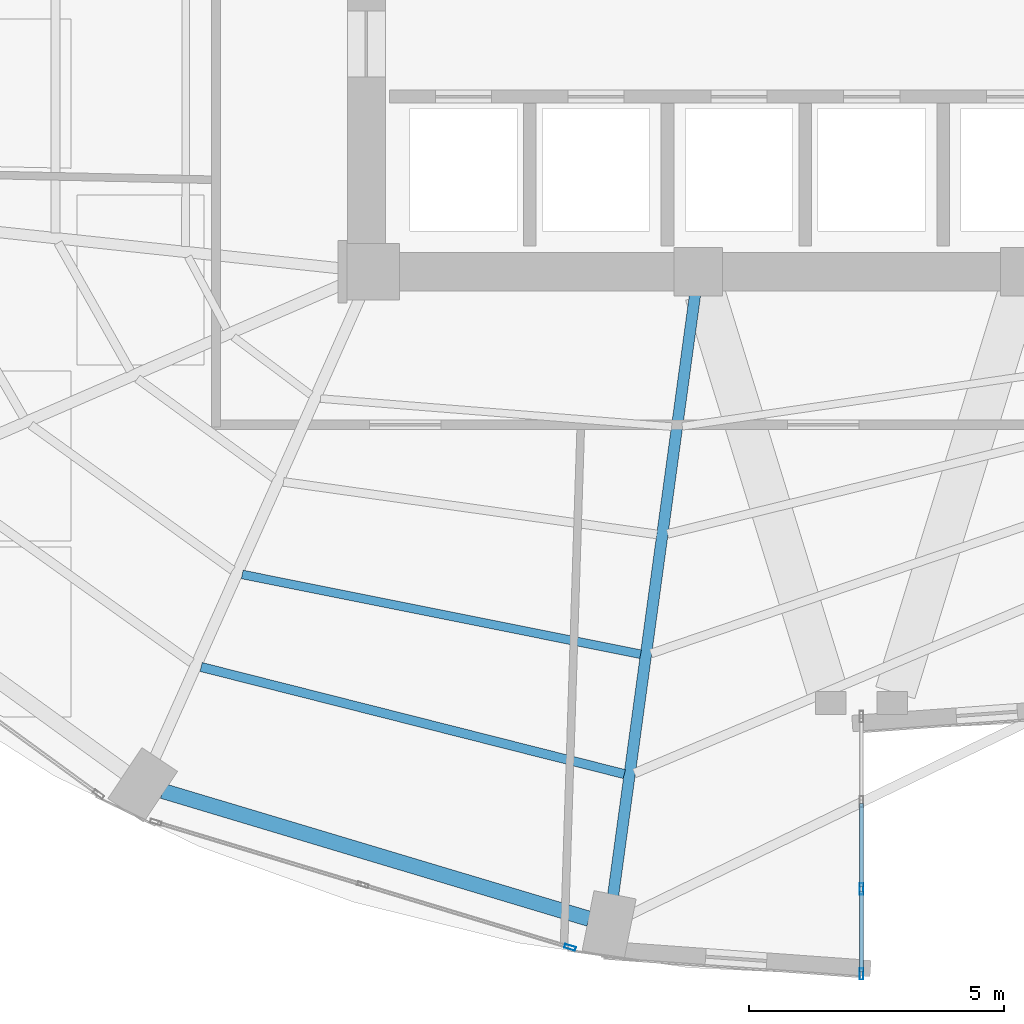
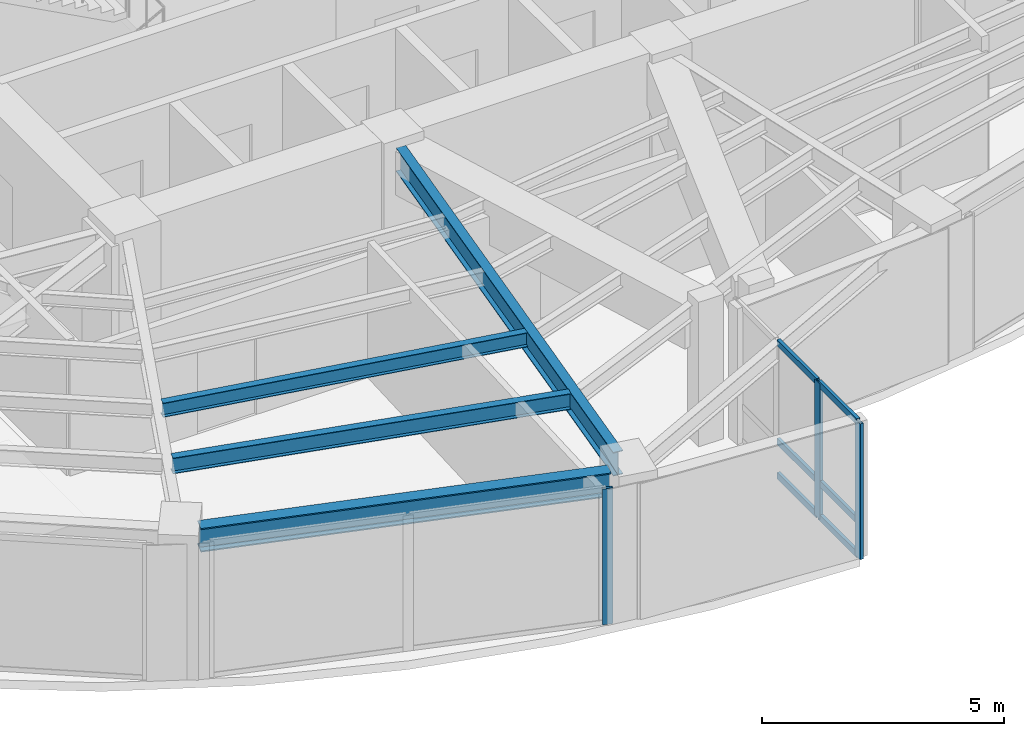
# One storey, part 5 of 24: 9 members, 4 beams, 2 elements without a shape of their own.
"""IFC4 building model written with IfcOpenShell, lengths in metres."""

import ifcopenshell
import ifcopenshell.guid

model = None  # the IFC model being written
_history = None  # IfcOwnerHistory: only IFC2X3 demands one
_inside = {}  # id of a spatial element -> (the spatial element, [elements in it])
_under = {}  # id of a project, library or spatial element -> (it, [spatial elements below it])
_declared = {}  # id of a project -> (the project, [libraries it declares])
_typed = {}  # id of a type object -> (the type object, [elements of that type])
_made_of = {}  # id of a material, layer set ... -> (it, [elements and type objects made of it])


def new_model(schema):
    """Start an empty IFC model of exactly this schema.

    Asked for "IFC4X3", IfcOpenShell would pick the latest addendum, in which some entities
    have other attributes; the version numbers below select the first issue.
    IFC2X3 requires an IfcOwnerHistory on every rooted entity: one is made here for all.
    """
    global model, _history
    if schema == "IFC4X3":
        model = ifcopenshell.file(schema_version=(4, 3, 0, 0))
    else:
        model = ifcopenshell.file(schema=schema)
    _inside.clear()
    _under.clear()
    _declared.clear()
    _typed.clear()
    _made_of.clear()
    _history = None
    if model.schema == "IFC2X3":
        org = make("IfcOrganization", Name="unknown")
        user = make(
            "IfcPersonAndOrganization",
            ThePerson=make("IfcPerson", FamilyName="unknown"),
            TheOrganization=org,
        )
        app = make(
            "IfcApplication",
            ApplicationDeveloper=org,
            Version="unknown",
            ApplicationFullName="unknown",
            ApplicationIdentifier="unknown",
        )
        _history = make(
            "IfcOwnerHistory",
            OwningUser=user,
            OwningApplication=app,
            ChangeAction="ADDED",
            CreationDate=0,
        )
    return model


def make(cls, **values):
    """One entity of the class cls with the attributes given. An attribute that is None is left unset."""
    return model.create_entity(
        cls, **{name: value for name, value in values.items() if value is not None}
    )


def rooted(cls, **values):
    """An entity with a GlobalId (a new one), such as an element, a storey or a relation."""
    return make(cls, GlobalId=ifcopenshell.guid.new(), OwnerHistory=_history, **values)


def si_unit(unit_type, name, prefix=None):
    """IfcSIUnit, for example si_unit("LENGTHUNIT", "METRE", prefix="MILLI")."""
    return make("IfcSIUnit", UnitType=unit_type, Prefix=prefix, Name=name)


def assignment(units):
    """IfcUnitAssignment: the units of a project."""
    return None if units is None else make("IfcUnitAssignment", Units=units)


def point(xyz):
    """IfcCartesianPoint."""
    return None if xyz is None else make("IfcCartesianPoint", Coordinates=xyz)


def direction(xyz):
    """IfcDirection."""
    return None if xyz is None else make("IfcDirection", DirectionRatios=xyz)


def frame(location, z_axis=None, x_axis=None):
    """IfcAxis2Placement3D, a coordinate frame: its origin and axes. An axis left out is left unset."""
    return make(
        "IfcAxis2Placement3D",
        Location=point(location),
        Axis=direction(z_axis),
        RefDirection=direction(x_axis),
    )


def frame_2d(location, x_axis=None):
    """IfcAxis2Placement2D, a coordinate frame in the plane: its origin and x axis."""
    return make(
        "IfcAxis2Placement2D", Location=point(location), RefDirection=direction(x_axis)
    )


def origin():
    """The frame at (0, 0, 0) with its axes left unset."""
    return frame((0.0, 0.0, 0.0))


def origin_2d():
    """The frame at (0, 0) in the plane with its x axis left unset."""
    return frame_2d((0.0, 0.0))


def place(relative_to, where):
    """IfcLocalPlacement: puts the frame where relative to a parent placement (None: the world)."""
    return make(
        "IfcLocalPlacement", PlacementRelTo=relative_to, RelativePlacement=where
    )


def context(
    kind, dimensions, precision=None, world=None, true_north=None, identifier=None
):
    """IfcGeometricRepresentationContext, for example the 3D "Model" context."""
    return make(
        "IfcGeometricRepresentationContext",
        ContextIdentifier=identifier,
        ContextType=kind,
        CoordinateSpaceDimension=dimensions,
        Precision=precision,
        WorldCoordinateSystem=world,
        TrueNorth=true_north,
    )


def subcontext(parent, identifier, kind, view, scale=None):
    """IfcGeometricRepresentationSubContext, for example "Body" below "Model"."""
    return make(
        "IfcGeometricRepresentationSubContext",
        ContextIdentifier=identifier,
        ContextType=kind,
        ParentContext=parent,
        TargetScale=scale,
        TargetView=view,
    )


def project(units=None, contexts=None):
    """IfcProject with its units and contexts."""
    return rooted(
        "IfcProject",
        Name="project",
        RepresentationContexts=contexts,
        UnitsInContext=assignment(units),
    )


def spatial(cls, under=None, at=None, **own):
    """A site, building, storey or space (cls), placed at a placement, below another one or the project."""
    s = rooted(cls, ObjectPlacement=at, **own)
    if under is not None:
        _under.setdefault(under.id(), (under, []))[1].append(s)
    return s


def profile(cls, at=None, kind="AREA", **sizes):
    """A parametric profile (cls). Its sizes go by their IFC names, for example OverallWidth=200.0."""
    return make(cls, ProfileType=kind, Position=at, **sizes)


def hollow_rectangle(**sizes):
    """IfcRectangleHollowProfileDef."""
    return profile("IfcRectangleHollowProfileDef", **sizes)


def i_section(**sizes):
    """IfcIShapeProfileDef."""
    return profile("IfcIShapeProfileDef", **sizes)


def extrude(swept, where, along, depth):
    """IfcExtrudedAreaSolid: the profile swept, set in the frame where, extruded along a direction by depth."""
    return make(
        "IfcExtrudedAreaSolid",
        SweptArea=swept,
        Position=where,
        ExtrudedDirection=direction(along),
        Depth=depth,
    )


def shape(context_of_items, identifier, shape_type, items):
    """IfcShapeRepresentation: the items that make up one representation, for example the "Body"."""
    return make(
        "IfcShapeRepresentation",
        ContextOfItems=context_of_items,
        RepresentationIdentifier=identifier,
        RepresentationType=shape_type,
        Items=items,
    )


def material(Name=None, Category=None):
    """IfcMaterial."""
    return make("IfcMaterial", Name=Name, Category=Category)


def layer(
    of_material, thickness, ventilated=None, Name=None, Category=None, Priority=None
):
    """IfcMaterialLayer: one layer of a wall or slab, of a material (None: an air gap)."""
    return make(
        "IfcMaterialLayer",
        Material=of_material,
        LayerThickness=thickness,
        IsVentilated=ventilated,
        Name=Name,
        Category=Category,
        Priority=Priority,
    )


def layer_set(layers, Name=None):
    """IfcMaterialLayerSet."""
    return make("IfcMaterialLayerSet", MaterialLayers=layers, LayerSetName=Name)


def material_profile(
    of_material, cross_section, Name=None, Category=None, Priority=None
):
    """IfcMaterialProfile: a cross section and its material."""
    return make(
        "IfcMaterialProfile",
        Name=Name,
        Material=of_material,
        Profile=cross_section,
        Priority=Priority,
        Category=Category,
    )


def profile_set(profiles, Name=None, composite=None):
    """IfcMaterialProfileSet."""
    return make(
        "IfcMaterialProfileSet",
        Name=Name,
        MaterialProfiles=profiles,
        CompositeProfile=composite,
    )


def made_of(thing, what):
    """Note that an element or type object is made of a material, layer set ...; save() writes the relation."""
    if what is not None:
        _made_of.setdefault(what.id(), (what, []))[1].append(thing)
    return thing


def type_object(cls, material=None, **own):
    """A type object (cls), such as IfcWallType, which elements share."""
    return made_of(rooted(cls, **own), material)


def element(
    cls,
    number,
    at=None,
    inside=None,
    cuts=None,
    type_object=None,
    material=None,
    context=None,
    identifier="Body",
    shape_type=None,
    held_by="IfcProductDefinitionShape",
    body=None,
    shapes=None,
    **own,
):
    """One element of the class cls, such as IfcWall. Its Tag is "e" and its number.

    at: its placement. inside: the storey or other place that contains it. cuts: it is an
    opening in that element (IfcRelVoidsElement). A single representation is given by context,
    identifier, shape_type and body (its items); several are given by shapes. held_by: the class
    of the entity that holds the representations. save() writes the other relations.
    """
    e = rooted(cls, Tag="e%d" % number, ObjectPlacement=at, **own)
    if body is not None:
        shapes = [shape(context, identifier, shape_type, body)]
    if shapes is not None:
        e.Representation = make(held_by, Representations=shapes)
    if inside is not None:
        _inside.setdefault(inside.id(), (inside, []))[1].append(e)
    if cuts is not None:
        rooted(
            "IfcRelVoidsElement", RelatingBuildingElement=cuts, RelatedOpeningElement=e
        )
    if type_object is not None:
        _typed.setdefault(type_object.id(), (type_object, []))[1].append(e)
    return made_of(e, material)


def aggregate(whole, parts):
    """IfcRelAggregates: a whole, such as a stair, and the parts it consists of."""
    return rooted("IfcRelAggregates", RelatingObject=whole, RelatedObjects=parts)


def save(model, path):
    """Write the relations noted so far, then the file.

    IfcRelAggregates (storeys below a building ...), IfcRelContainedInSpatialStructure (elements
    in a storey), IfcRelDefinesByType, IfcRelAssociatesMaterial and IfcRelDeclares: one each for
    every whole, place, type object, material and project.
    """
    for whole, parts in _under.values():
        aggregate(whole, parts)
    for where, things in _inside.values():
        rooted(
            "IfcRelContainedInSpatialStructure",
            RelatedElements=things,
            RelatingStructure=where,
        )
    for kind, things in _typed.values():
        rooted("IfcRelDefinesByType", RelatedObjects=things, RelatingType=kind)
    for what, things in _made_of.values():
        rooted("IfcRelAssociatesMaterial", RelatedObjects=things, RelatingMaterial=what)
    for by, libraries in _declared.values():
        rooted("IfcRelDeclares", RelatingContext=by, RelatedDefinitions=libraries)
    model.write(path)


model = new_model("IFC4")

# Units and contexts
model_context = context("Model", 3, precision=1e-05, world=origin(), true_north=direction((0.0, 1.0)))
body_context = subcontext(model_context, "Body", "Model", "MODEL_VIEW")
ifc_project = project(units=[si_unit("LENGTHUNIT", "METRE"), si_unit("AREAUNIT", "SQUARE_METRE"), si_unit("VOLUMEUNIT", "CUBIC_METRE"), si_unit("PLANEANGLEUNIT", "RADIAN"), si_unit("MASSUNIT", "GRAM", prefix="KILO")], contexts=[model_context])

# Site, building, storey
site_placement = place(None, origin())
site = spatial("IfcSite", under=ifc_project, at=site_placement, CompositionType="ELEMENT")
building_placement = place(site_placement, origin())
building = spatial("IfcBuilding", under=site, at=building_placement, Name="Lazwardi Medical Tower", CompositionType="ELEMENT")
storey_placement = place(building_placement, frame((0.0, 0.0, 103.632080078125)))
storey = spatial("IfcBuildingStorey", under=building, at=storey_placement, Name="L26", CompositionType="ELEMENT", Elevation=103.632080078125)

# Beams
ifc_material_1 = material(Name="Steel S355", Category="steel")
ifc_material_profile_1 = material_profile(ifc_material_1, i_section(OverallWidth=0.300048828125, OverallDepth=0.60009765625, WebThickness=0.015380859375, FlangeThickness=0.030029296875, at=origin_2d()), Name="HEB 600")
ifc_profile_set_1 = profile_set([ifc_material_profile_1], Name="Steel S355")
beam_type_1 = type_object("IfcBeamType", Name="BM-RB-Z2", PredefinedType="BEAM", material=ifc_profile_set_1)
beam_1_placement = place(storey_placement, frame((22.30908203125, 10.224609375, 3.1279296875), z_axis=(0.957879438442, -0.287170648587, 0.0), x_axis=(0.287170648587, 0.957879438442, 0.0)))
element("IfcBeam", 1, at=beam_1_placement, inside=storey, type_object=beam_type_1, Name="Ring beam RB-03 B15 L26", PredefinedType="BEAM", context=body_context, shape_type="SweptSolid", body=[
    extrude(i_section(OverallWidth=0.300048828125, OverallDepth=0.60009765625, WebThickness=0.015380859375, FlangeThickness=0.030029296875, at=origin_2d()), origin(), (0.0, 0.0, 1.0), 8.719970703125),
])
ifc_material_profile_2 = material_profile(ifc_material_1, i_section(OverallWidth=0.219970703125, OverallDepth=0.60009765625, WebThickness=0.011962890625, FlangeThickness=0.01904296875, at=origin_2d()), Name="IPE 600")
ifc_profile_set_2 = profile_set([ifc_material_profile_2], Name="Steel S355")
beam_type_2 = type_object("IfcBeamType", Name="BM-RG-W1", PredefinedType="BEAM", material=ifc_profile_set_2)
beam_2_placement = place(storey_placement, frame((31.1328125, 8.17724609375, 3.1279296875), z_axis=(0.135147148002, 0.990825538825, 0.0), x_axis=(-0.990825538825, 0.135147148002, 0.0)))
element("IfcBeam", 2, at=beam_2_placement, inside=storey, type_object=beam_type_2, Name="Radial girder RG-02 R16 L26", PredefinedType="BEAM", context=body_context, shape_type="SweptSolid", body=[
    extrude(i_section(OverallWidth=0.219970703125, OverallDepth=0.60009765625, WebThickness=0.011962890625, FlangeThickness=0.01904296875, at=origin_2d()), origin(), (0.0, 0.0, 1.0), 11.875732421875),
])
ifc_material_profile_3 = material_profile(ifc_material_1, i_section(OverallWidth=0.179931640625, OverallDepth=0.39990234375, WebThickness=0.008544921875, FlangeThickness=0.013427734375, at=origin_2d()), Name="IPE 400")
ifc_profile_set_3 = profile_set([ifc_material_profile_3], Name="Steel S355")
beam_type_3 = type_object("IfcBeamType", Name="BM-SJ-01", PredefinedType="JOIST", material=ifc_profile_set_3)
beam_3_placement = place(storey_placement, frame((23.060302734375, 12.654296875, 3.22802734375), z_axis=(0.96945186753, -0.245281626997, 0.0), x_axis=(0.245281626997, 0.96945186753, 0.0)))
element("IfcBeam", 3, at=beam_3_placement, inside=storey, type_object=beam_type_3, Name="Secondary joist SJ-01 R1 B15 L26", PredefinedType="JOIST", context=body_context, shape_type="SweptSolid", body=[
    extrude(i_section(OverallWidth=0.179931640625, OverallDepth=0.39990234375, WebThickness=0.008544921875, FlangeThickness=0.013427734375, at=origin_2d()), origin(), (0.0, 0.0, 1.0), 8.552978515625),
])
ifc_material_profile_4 = material_profile(ifc_material_1, i_section(OverallWidth=0.169921875, OverallDepth=0.360107421875, WebThickness=0.008056640625, FlangeThickness=0.0126953125, at=origin_2d()), Name="IPE 360")
ifc_profile_set_4 = profile_set([ifc_material_profile_4], Name="Steel S355")
beam_type_4 = type_object("IfcBeamType", Name="BM-SJ-02", PredefinedType="JOIST", material=ifc_profile_set_4)
beam_4_placement = place(storey_placement, frame((23.8671875, 14.46728515625, 3.247802734375), z_axis=(0.980542906584, -0.196304886203, 0.0), x_axis=(0.196304886203, 0.980542906584, 0.0)))
element("IfcBeam", 4, at=beam_4_placement, inside=storey, type_object=beam_type_4, Name="Secondary joist SJ-02 R2 B15 L26", PredefinedType="JOIST", context=body_context, shape_type="SweptSolid", body=[
    extrude(i_section(OverallWidth=0.169921875, OverallDepth=0.360107421875, WebThickness=0.008056640625, FlangeThickness=0.0126953125, at=origin_2d()), origin(), (0.0, 0.0, 1.0), 7.95947265625),
])

# Curtain wall, member
ifc_material_2 = material(Name="Anodised bronze aluminium and solar control glazing", Category="aluminium")
ifc_layer_1 = layer(ifc_material_2, 0.195068359375)
ifc_layer_set_1 = layer_set([ifc_layer_1], Name="Anodised bronze aluminium and solar control glazing")
curtain_wall_type_1 = type_object("IfcCurtainWallType", Name="CW-SYS-03", PredefinedType="NOTDEFINED", material=ifc_layer_set_1)
curtain_wall_1_placement = place(storey_placement, origin())
curtain_wall_1 = element("IfcCurtainWall", 5, at=curtain_wall_1_placement, inside=storey, type_object=curtain_wall_type_1, Name="L26 Unitised bronze curtain wall CW-03", PredefinedType="NOTDEFINED")
ifc_material_3 = material(Name="Anodised bronze aluminium", Category="aluminium")
ifc_material_profile_5 = material_profile(ifc_material_3, hollow_rectangle(XDim=0.074951171875, YDim=0.219970703125, WallThickness=0.00390625, at=origin_2d()), Name="ALU-MULLION 220x75x4")
ifc_profile_set_5 = profile_set([ifc_material_profile_5], Name="Anodised bronze aluminium")
member_type_1 = type_object("IfcMemberType", Name="CW-MUL-01", PredefinedType="MULLION", material=ifc_profile_set_5)
member_1_placement = place(storey_placement, frame((30.289794921875, 7.159912109375, 0.0), z_axis=(0.0, 0.0, 1.0), x_axis=(0.28937381157, 0.957216170558, 0.0)))
member_1 = element("IfcMember", 6, at=member_1_placement, type_object=member_type_1, Name="CW-03 mullion 3", PredefinedType="MULLION", context=body_context, shape_type="SweptSolid", body=[
    extrude(hollow_rectangle(XDim=0.074951171875, YDim=0.219970703125, WallThickness=0.00390625, at=origin_2d()), origin(), (0.0, 0.0, 1.0), 3.427978515625),
])
aggregate(curtain_wall_1, [member_1])

# Curtain wall, members
ifc_layer_2 = layer(ifc_material_2, 0.2099609375)
ifc_layer_set_2 = layer_set([ifc_layer_2], Name="Anodised bronze aluminium and solar control glazing")
curtain_wall_type_2 = type_object("IfcCurtainWallType", Name="CW-SYS-06", PredefinedType="NOTDEFINED", material=ifc_layer_set_2)
curtain_wall_2_placement = place(storey_placement, origin())
curtain_wall_2 = element("IfcCurtainWall", 7, at=curtain_wall_2_placement, inside=storey, type_object=curtain_wall_type_2, Name="L26 Unitised bronze curtain wall CW-06", PredefinedType="NOTDEFINED")
member_2_placement = place(storey_placement, frame((36.0, 6.637451171875, 0.0), z_axis=(0.0, 0.0, 1.0), x_axis=(-1.0, 0.0, 0.0)))
member_2 = element("IfcMember", 8, at=member_2_placement, type_object=member_type_1, Name="CW-06 mullion 1", PredefinedType="MULLION", context=body_context, shape_type="SweptSolid", body=[
    extrude(hollow_rectangle(XDim=0.074951171875, YDim=0.219970703125, WallThickness=0.00390625, at=origin_2d()), origin(), (0.0, 0.0, 1.0), 3.427978515625),
])
member_3_placement = place(storey_placement, frame((36.0, 8.306640625, 0.0), z_axis=(0.0, 0.0, 1.0), x_axis=(-1.0, 0.0, 0.0)))
member_3 = element("IfcMember", 9, at=member_3_placement, type_object=member_type_1, Name="CW-06 mullion 2", PredefinedType="MULLION", context=body_context, shape_type="SweptSolid", body=[
    extrude(hollow_rectangle(XDim=0.074951171875, YDim=0.219970703125, WallThickness=0.00390625, at=origin_2d()), origin(), (0.0, 0.0, 1.0), 3.427978515625),
])
ifc_material_profile_6 = material_profile(ifc_material_3, hollow_rectangle(XDim=0.074951171875, YDim=0.159912109375, WallThickness=0.00390625, at=origin_2d()), Name="ALU-TRANSOM 160x75x4")
ifc_profile_set_6 = profile_set([ifc_material_profile_6], Name="Anodised bronze aluminium")
member_type_2 = type_object("IfcMemberType", Name="CW-TRN-01", PredefinedType="USERDEFINED", material=ifc_profile_set_6)
member_4_placement = place(storey_placement, frame((36.0, 6.675048828125, 0.037353515625), z_axis=(0.0, 1.0, 0.0), x_axis=(-1.0, 0.0, 0.0)))
member_4 = element("IfcMember", 10, at=member_4_placement, type_object=member_type_2, Name="CW-06 transom 1.1", ObjectType="TRANSOM", PredefinedType="USERDEFINED", context=body_context, shape_type="SweptSolid", body=[
    extrude(hollow_rectangle(XDim=0.074951171875, YDim=0.159912109375, WallThickness=0.00390625, at=origin_2d()), origin(), (0.0, 0.0, 1.0), 1.59423828125),
])
member_5_placement = place(storey_placement, frame((36.0, 6.675048828125, 0.89990234375), z_axis=(0.0, 1.0, 0.0), x_axis=(-1.0, 0.0, 0.0)))
member_5 = element("IfcMember", 11, at=member_5_placement, type_object=member_type_2, Name="CW-06 transom 1.2", ObjectType="TRANSOM", PredefinedType="USERDEFINED", context=body_context, shape_type="SweptSolid", body=[
    extrude(hollow_rectangle(XDim=0.074951171875, YDim=0.159912109375, WallThickness=0.00390625, at=origin_2d()), origin(), (0.0, 0.0, 1.0), 1.59423828125),
])
member_6_placement = place(storey_placement, frame((36.0, 6.675048828125, 3.390380859375), z_axis=(0.0, 1.0, 0.0), x_axis=(-1.0, 0.0, 0.0)))
member_6 = element("IfcMember", 12, at=member_6_placement, type_object=member_type_2, Name="CW-06 transom 1.3", ObjectType="TRANSOM", PredefinedType="USERDEFINED", context=body_context, shape_type="SweptSolid", body=[
    extrude(hollow_rectangle(XDim=0.074951171875, YDim=0.159912109375, WallThickness=0.00390625, at=origin_2d()), origin(), (0.0, 0.0, 1.0), 1.59423828125),
])
member_7_placement = place(storey_placement, frame((36.0, 8.34423828125, 0.037353515625), z_axis=(0.0, 1.0, 0.0), x_axis=(-1.0, 0.0, 0.0)))
member_7 = element("IfcMember", 13, at=member_7_placement, type_object=member_type_2, Name="CW-06 transom 2.1", ObjectType="TRANSOM", PredefinedType="USERDEFINED", context=body_context, shape_type="SweptSolid", body=[
    extrude(hollow_rectangle(XDim=0.074951171875, YDim=0.159912109375, WallThickness=0.00390625, at=origin_2d()), origin(), (0.0, 0.0, 1.0), 1.631591796875),
])
member_8_placement = place(storey_placement, frame((36.0, 8.34423828125, 0.89990234375), z_axis=(0.0, 1.0, 0.0), x_axis=(-1.0, 0.0, 0.0)))
member_8 = element("IfcMember", 14, at=member_8_placement, type_object=member_type_2, Name="CW-06 transom 2.2", ObjectType="TRANSOM", PredefinedType="USERDEFINED", context=body_context, shape_type="SweptSolid", body=[
    extrude(hollow_rectangle(XDim=0.074951171875, YDim=0.159912109375, WallThickness=0.00390625, at=origin_2d()), origin(), (0.0, 0.0, 1.0), 1.631591796875),
])
member_9_placement = place(storey_placement, frame((36.0, 8.34423828125, 3.390380859375), z_axis=(0.0, 1.0, 0.0), x_axis=(-1.0, 0.0, 0.0)))
member_9 = element("IfcMember", 15, at=member_9_placement, type_object=member_type_2, Name="CW-06 transom 2.3", ObjectType="TRANSOM", PredefinedType="USERDEFINED", context=body_context, shape_type="SweptSolid", body=[
    extrude(hollow_rectangle(XDim=0.074951171875, YDim=0.159912109375, WallThickness=0.00390625, at=origin_2d()), origin(), (0.0, 0.0, 1.0), 1.631591796875),
])
aggregate(curtain_wall_2, [member_2, member_3, member_4, member_5, member_6, member_7, member_8, member_9])

save(model, "model.ifc")
